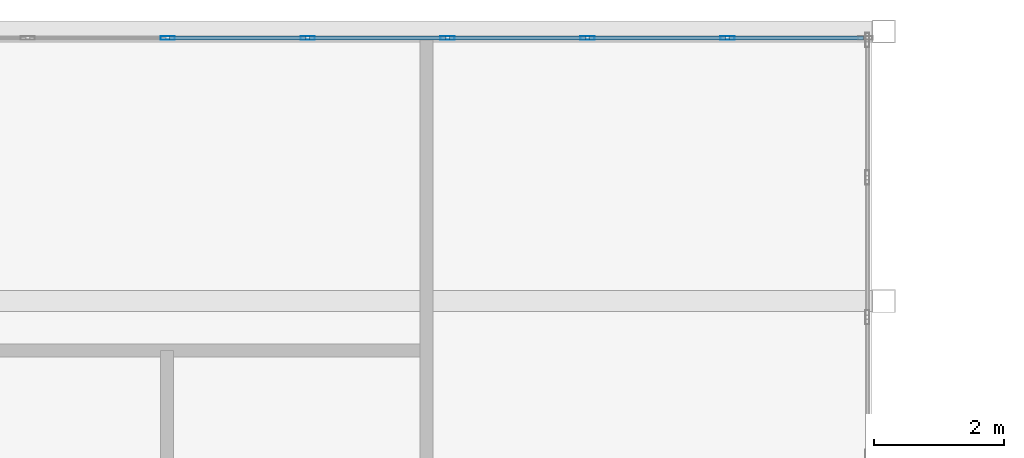
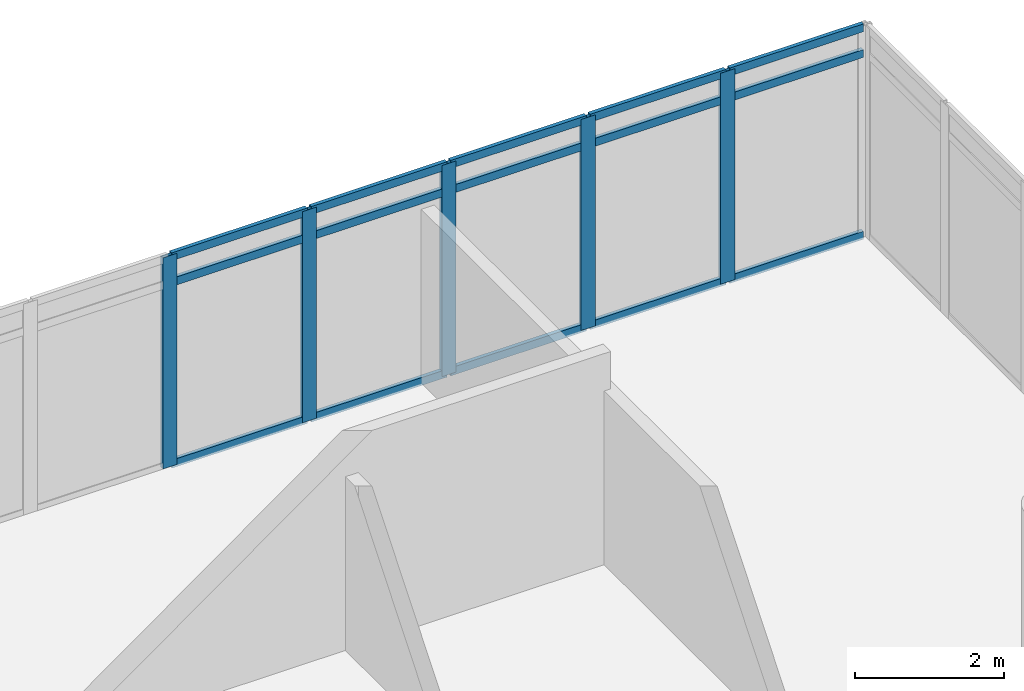
# One storey, part 19 of 29: 20 members, 1 element without a shape of its own.
"""IFC4 building model written with IfcOpenShell, lengths in metres."""

from ifc_helpers import new_model, si_unit, direction, frame, origin, origin_2d, place, context, subcontext, project, spatial, hollow_rectangle, extrude, material, material_profile, profile_set, type_object, element, aggregate, save


model = new_model("IFC4")

# Units and contexts
model_context = context("Model", 3, precision=1e-05, world=origin(), true_north=direction((0.0, 1.0)))
body_context = subcontext(model_context, "Body", "Model", "MODEL_VIEW")
ifc_project = project(units=[si_unit("LENGTHUNIT", "METRE"), si_unit("AREAUNIT", "SQUARE_METRE"), si_unit("VOLUMEUNIT", "CUBIC_METRE"), si_unit("PLANEANGLEUNIT", "RADIAN"), si_unit("MASSUNIT", "GRAM", prefix="KILO")], contexts=[model_context])

# Site, building, storey
site_placement = place(None, origin())
site = spatial("IfcSite", under=ifc_project, at=site_placement, CompositionType="ELEMENT")
building_placement = place(site_placement, origin())
building = spatial("IfcBuilding", under=site, at=building_placement, Name="Ostrander Bayou Hotel Tower", CompositionType="ELEMENT")
storey_placement = place(building_placement, frame((0.0, 0.0, 202.0)))
storey = spatial("IfcBuildingStorey", under=building, at=storey_placement, Name="L50", CompositionType="ELEMENT", Elevation=202.0)

# Curtain wall, members
ifc_material_1 = material(Name="Aluminium and clear glass", Category="aluminium")
curtain_wall_type = type_object("IfcCurtainWallType", Name="CW-BAR glazed wall", PredefinedType="NOTDEFINED", material=ifc_material_1)
curtain_wall_placement = place(storey_placement, origin())
curtain_wall = element("IfcCurtainWall", 1, at=curtain_wall_placement, inside=storey, type_object=curtain_wall_type, Name="CW-BAR L50:SB4N:T", PredefinedType="NOTDEFINED")
ifc_material_2 = material(Name="Aluminium", Category="aluminium")
ifc_material_profile_1 = material_profile(ifc_material_2, hollow_rectangle(XDim=0.06005859375, YDim=0.219970703125, WallThickness=0.00390625, at=origin_2d()))
ifc_profile_set_1 = profile_set([ifc_material_profile_1], Name="Aluminium")
member_type_1 = type_object("IfcMemberType", Name="CW-BR mullion 60 x 220 mm", PredefinedType="MULLION", material=ifc_profile_set_1)
member_1_placement = place(storey_placement, frame((1.077880859375, 27.916015625, 0.0), z_axis=(0.0, 0.0, 1.0), x_axis=(0.0, 1.0, 0.0)))
member_1 = element("IfcMember", 2, at=member_1_placement, type_object=member_type_1, Name="CW-BAR mullion 7", PredefinedType="MULLION", context=body_context, shape_type="SweptSolid", body=[
    extrude(hollow_rectangle(XDim=0.06005859375, YDim=0.219970703125, WallThickness=0.00390625, at=origin_2d()), origin(), (0.0, 0.0, 1.0), 3.449951171875),
])
member_2_placement = place(storey_placement, frame((3.23388671875, 27.916015625, 0.0), z_axis=(0.0, 0.0, 1.0), x_axis=(0.0, 1.0, 0.0)))
member_2 = element("IfcMember", 3, at=member_2_placement, type_object=member_type_1, Name="CW-BAR mullion 8", PredefinedType="MULLION", context=body_context, shape_type="SweptSolid", body=[
    extrude(hollow_rectangle(XDim=0.06005859375, YDim=0.219970703125, WallThickness=0.00390625, at=origin_2d()), origin(), (0.0, 0.0, 1.0), 3.449951171875),
])
member_3_placement = place(storey_placement, frame((5.3896484375, 27.916015625, 0.0), z_axis=(0.0, 0.0, 1.0), x_axis=(0.0, 1.0, 0.0)))
member_3 = element("IfcMember", 4, at=member_3_placement, type_object=member_type_1, Name="CW-BAR mullion 9", PredefinedType="MULLION", context=body_context, shape_type="SweptSolid", body=[
    extrude(hollow_rectangle(XDim=0.06005859375, YDim=0.219970703125, WallThickness=0.00390625, at=origin_2d()), origin(), (0.0, 0.0, 1.0), 3.449951171875),
])
member_4_placement = place(storey_placement, frame((7.54541015625, 27.916015625, 0.0), z_axis=(0.0, 0.0, 1.0), x_axis=(0.0, 1.0, 0.0)))
member_4 = element("IfcMember", 5, at=member_4_placement, type_object=member_type_1, Name="CW-BAR mullion 10", PredefinedType="MULLION", context=body_context, shape_type="SweptSolid", body=[
    extrude(hollow_rectangle(XDim=0.06005859375, YDim=0.219970703125, WallThickness=0.00390625, at=origin_2d()), origin(), (0.0, 0.0, 1.0), 3.449951171875),
])
member_5_placement = place(storey_placement, frame((9.701416015625, 27.916015625, 0.0), z_axis=(0.0, 0.0, 1.0), x_axis=(0.0, 1.0, 0.0)))
member_5 = element("IfcMember", 6, at=member_5_placement, type_object=member_type_1, Name="CW-BAR mullion 11", PredefinedType="MULLION", context=body_context, shape_type="SweptSolid", body=[
    extrude(hollow_rectangle(XDim=0.06005859375, YDim=0.219970703125, WallThickness=0.00390625, at=origin_2d()), origin(), (0.0, 0.0, 1.0), 3.449951171875),
])
ifc_material_3 = material(Name="Aluminium", Category="aluminium")
ifc_material_profile_2 = material_profile(ifc_material_3, hollow_rectangle(XDim=0.06005859375, YDim=0.1298828125, WallThickness=0.00390625, at=origin_2d()))
ifc_profile_set_2 = profile_set([ifc_material_profile_2], Name="Aluminium")
member_type_2 = type_object("IfcMemberType", Name="CW-BR transom 60 x 130 mm", PredefinedType="USERDEFINED", material=ifc_profile_set_2)
member_6_placement = place(storey_placement, frame((1.10791015625, 27.916015625, 0.030029296875), z_axis=(1.0, 0.0, 0.0), x_axis=(0.0, 1.0, 0.0)))
member_6 = element("IfcMember", 7, at=member_6_placement, type_object=member_type_2, Name="CW-BAR transom 7.1", ObjectType="TRANSOM", PredefinedType="USERDEFINED", context=body_context, shape_type="SweptSolid", body=[
    extrude(hollow_rectangle(XDim=0.06005859375, YDim=0.1298828125, WallThickness=0.00390625, at=origin_2d()), origin(), (0.0, 0.0, 1.0), 2.095947265625),
])
member_7_placement = place(storey_placement, frame((1.10791015625, 27.916015625, 3.0), z_axis=(1.0, 0.0, 0.0), x_axis=(0.0, 1.0, 0.0)))
member_7 = element("IfcMember", 8, at=member_7_placement, type_object=member_type_2, Name="CW-BAR transom 7.2", ObjectType="TRANSOM", PredefinedType="USERDEFINED", context=body_context, shape_type="SweptSolid", body=[
    extrude(hollow_rectangle(XDim=0.06005859375, YDim=0.1298828125, WallThickness=0.00390625, at=origin_2d()), origin(), (0.0, 0.0, 1.0), 2.095947265625),
])
member_8_placement = place(storey_placement, frame((1.10791015625, 27.916015625, 3.419921875), z_axis=(1.0, 0.0, 0.0), x_axis=(0.0, 1.0, 0.0)))
member_8 = element("IfcMember", 9, at=member_8_placement, type_object=member_type_2, Name="CW-BAR transom 7.3", ObjectType="TRANSOM", PredefinedType="USERDEFINED", context=body_context, shape_type="SweptSolid", body=[
    extrude(hollow_rectangle(XDim=0.06005859375, YDim=0.1298828125, WallThickness=0.00390625, at=origin_2d()), origin(), (0.0, 0.0, 1.0), 2.095947265625),
])
member_9_placement = place(storey_placement, frame((3.263671875, 27.916015625, 0.030029296875), z_axis=(1.0, 0.0, 0.0), x_axis=(0.0, 1.0, 0.0)))
member_9 = element("IfcMember", 10, at=member_9_placement, type_object=member_type_2, Name="CW-BAR transom 8.1", ObjectType="TRANSOM", PredefinedType="USERDEFINED", context=body_context, shape_type="SweptSolid", body=[
    extrude(hollow_rectangle(XDim=0.06005859375, YDim=0.1298828125, WallThickness=0.00390625, at=origin_2d()), origin(), (0.0, 0.0, 1.0), 2.095947265625),
])
member_10_placement = place(storey_placement, frame((3.263671875, 27.916015625, 3.0), z_axis=(1.0, 0.0, 0.0), x_axis=(0.0, 1.0, 0.0)))
member_10 = element("IfcMember", 11, at=member_10_placement, type_object=member_type_2, Name="CW-BAR transom 8.2", ObjectType="TRANSOM", PredefinedType="USERDEFINED", context=body_context, shape_type="SweptSolid", body=[
    extrude(hollow_rectangle(XDim=0.06005859375, YDim=0.1298828125, WallThickness=0.00390625, at=origin_2d()), origin(), (0.0, 0.0, 1.0), 2.095947265625),
])
member_11_placement = place(storey_placement, frame((3.263671875, 27.916015625, 3.419921875), z_axis=(1.0, 0.0, 0.0), x_axis=(0.0, 1.0, 0.0)))
member_11 = element("IfcMember", 12, at=member_11_placement, type_object=member_type_2, Name="CW-BAR transom 8.3", ObjectType="TRANSOM", PredefinedType="USERDEFINED", context=body_context, shape_type="SweptSolid", body=[
    extrude(hollow_rectangle(XDim=0.06005859375, YDim=0.1298828125, WallThickness=0.00390625, at=origin_2d()), origin(), (0.0, 0.0, 1.0), 2.095947265625),
])
member_12_placement = place(storey_placement, frame((5.419677734375, 27.916015625, 0.030029296875), z_axis=(1.0, 0.0, 0.0), x_axis=(0.0, 1.0, 0.0)))
member_12 = element("IfcMember", 13, at=member_12_placement, type_object=member_type_2, Name="CW-BAR transom 9.1", ObjectType="TRANSOM", PredefinedType="USERDEFINED", context=body_context, shape_type="SweptSolid", body=[
    extrude(hollow_rectangle(XDim=0.06005859375, YDim=0.1298828125, WallThickness=0.00390625, at=origin_2d()), origin(), (0.0, 0.0, 1.0), 2.095703125),
])
member_13_placement = place(storey_placement, frame((5.419677734375, 27.916015625, 3.0), z_axis=(1.0, 0.0, 0.0), x_axis=(0.0, 1.0, 0.0)))
member_13 = element("IfcMember", 14, at=member_13_placement, type_object=member_type_2, Name="CW-BAR transom 9.2", ObjectType="TRANSOM", PredefinedType="USERDEFINED", context=body_context, shape_type="SweptSolid", body=[
    extrude(hollow_rectangle(XDim=0.06005859375, YDim=0.1298828125, WallThickness=0.00390625, at=origin_2d()), origin(), (0.0, 0.0, 1.0), 2.095703125),
])
member_14_placement = place(storey_placement, frame((5.419677734375, 27.916015625, 3.419921875), z_axis=(1.0, 0.0, 0.0), x_axis=(0.0, 1.0, 0.0)))
member_14 = element("IfcMember", 15, at=member_14_placement, type_object=member_type_2, Name="CW-BAR transom 9.3", ObjectType="TRANSOM", PredefinedType="USERDEFINED", context=body_context, shape_type="SweptSolid", body=[
    extrude(hollow_rectangle(XDim=0.06005859375, YDim=0.1298828125, WallThickness=0.00390625, at=origin_2d()), origin(), (0.0, 0.0, 1.0), 2.095703125),
])
member_15_placement = place(storey_placement, frame((7.575439453125, 27.916015625, 0.030029296875), z_axis=(1.0, 0.0, 0.0), x_axis=(0.0, 1.0, 0.0)))
member_15 = element("IfcMember", 16, at=member_15_placement, type_object=member_type_2, Name="CW-BAR transom 10.1", ObjectType="TRANSOM", PredefinedType="USERDEFINED", context=body_context, shape_type="SweptSolid", body=[
    extrude(hollow_rectangle(XDim=0.06005859375, YDim=0.1298828125, WallThickness=0.00390625, at=origin_2d()), origin(), (0.0, 0.0, 1.0), 2.095947265625),
])
member_16_placement = place(storey_placement, frame((7.575439453125, 27.916015625, 3.0), z_axis=(1.0, 0.0, 0.0), x_axis=(0.0, 1.0, 0.0)))
member_16 = element("IfcMember", 17, at=member_16_placement, type_object=member_type_2, Name="CW-BAR transom 10.2", ObjectType="TRANSOM", PredefinedType="USERDEFINED", context=body_context, shape_type="SweptSolid", body=[
    extrude(hollow_rectangle(XDim=0.06005859375, YDim=0.1298828125, WallThickness=0.00390625, at=origin_2d()), origin(), (0.0, 0.0, 1.0), 2.095947265625),
])
member_17_placement = place(storey_placement, frame((7.575439453125, 27.916015625, 3.419921875), z_axis=(1.0, 0.0, 0.0), x_axis=(0.0, 1.0, 0.0)))
member_17 = element("IfcMember", 18, at=member_17_placement, type_object=member_type_2, Name="CW-BAR transom 10.3", ObjectType="TRANSOM", PredefinedType="USERDEFINED", context=body_context, shape_type="SweptSolid", body=[
    extrude(hollow_rectangle(XDim=0.06005859375, YDim=0.1298828125, WallThickness=0.00390625, at=origin_2d()), origin(), (0.0, 0.0, 1.0), 2.095947265625),
])
member_18_placement = place(storey_placement, frame((9.7314453125, 27.916015625, 0.030029296875), z_axis=(1.0, 0.0, 0.0), x_axis=(0.0, 1.0, 0.0)))
member_18 = element("IfcMember", 19, at=member_18_placement, type_object=member_type_2, Name="CW-BAR transom 11.1", ObjectType="TRANSOM", PredefinedType="USERDEFINED", context=body_context, shape_type="SweptSolid", body=[
    extrude(hollow_rectangle(XDim=0.06005859375, YDim=0.1298828125, WallThickness=0.00390625, at=origin_2d()), origin(), (0.0, 0.0, 1.0), 2.065673828125),
])
member_19_placement = place(storey_placement, frame((9.7314453125, 27.916015625, 3.0), z_axis=(1.0, 0.0, 0.0), x_axis=(0.0, 1.0, 0.0)))
member_19 = element("IfcMember", 20, at=member_19_placement, type_object=member_type_2, Name="CW-BAR transom 11.2", ObjectType="TRANSOM", PredefinedType="USERDEFINED", context=body_context, shape_type="SweptSolid", body=[
    extrude(hollow_rectangle(XDim=0.06005859375, YDim=0.1298828125, WallThickness=0.00390625, at=origin_2d()), origin(), (0.0, 0.0, 1.0), 2.065673828125),
])
member_20_placement = place(storey_placement, frame((9.7314453125, 27.916015625, 3.419921875), z_axis=(1.0, 0.0, 0.0), x_axis=(0.0, 1.0, 0.0)))
member_20 = element("IfcMember", 21, at=member_20_placement, type_object=member_type_2, Name="CW-BAR transom 11.3", ObjectType="TRANSOM", PredefinedType="USERDEFINED", context=body_context, shape_type="SweptSolid", body=[
    extrude(hollow_rectangle(XDim=0.06005859375, YDim=0.1298828125, WallThickness=0.00390625, at=origin_2d()), origin(), (0.0, 0.0, 1.0), 2.065673828125),
])
aggregate(curtain_wall, [member_1, member_2, member_3, member_4, member_5, member_6, member_7, member_8, member_9, member_10, member_11, member_12, member_13, member_14, member_15, member_16, member_17, member_18, member_19, member_20])

save(model, "model.ifc")
